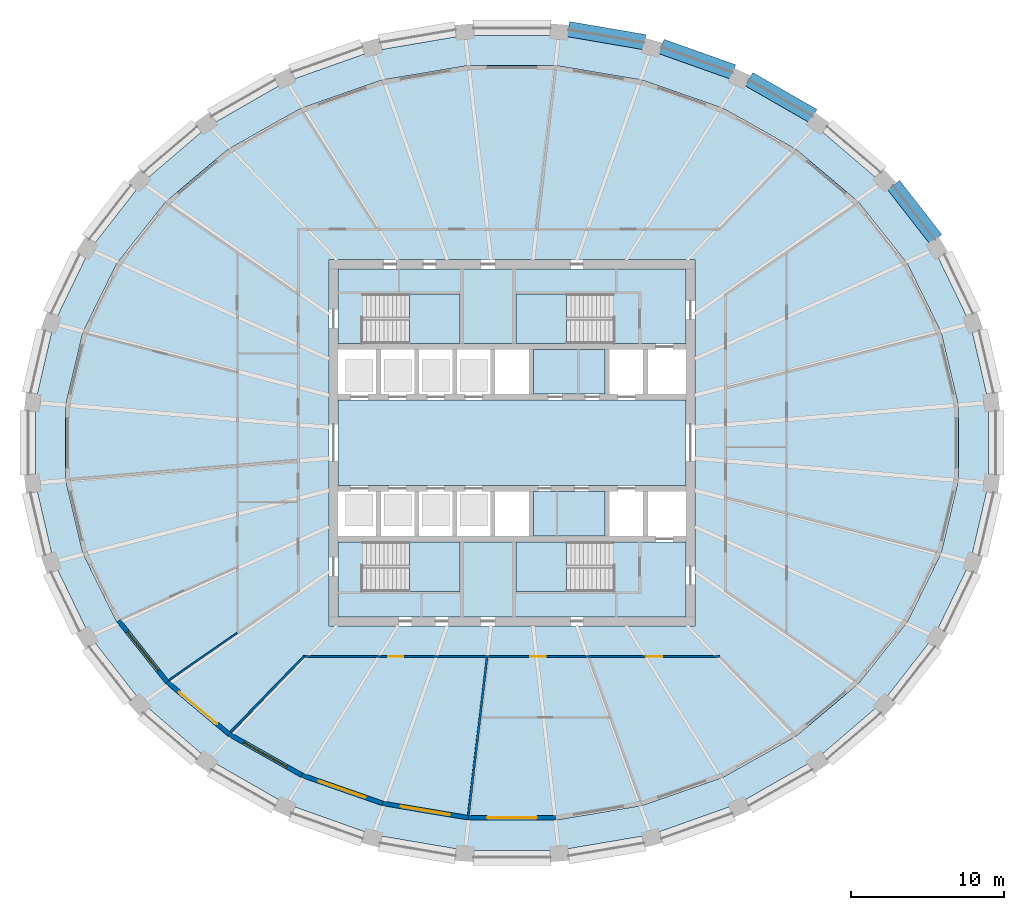
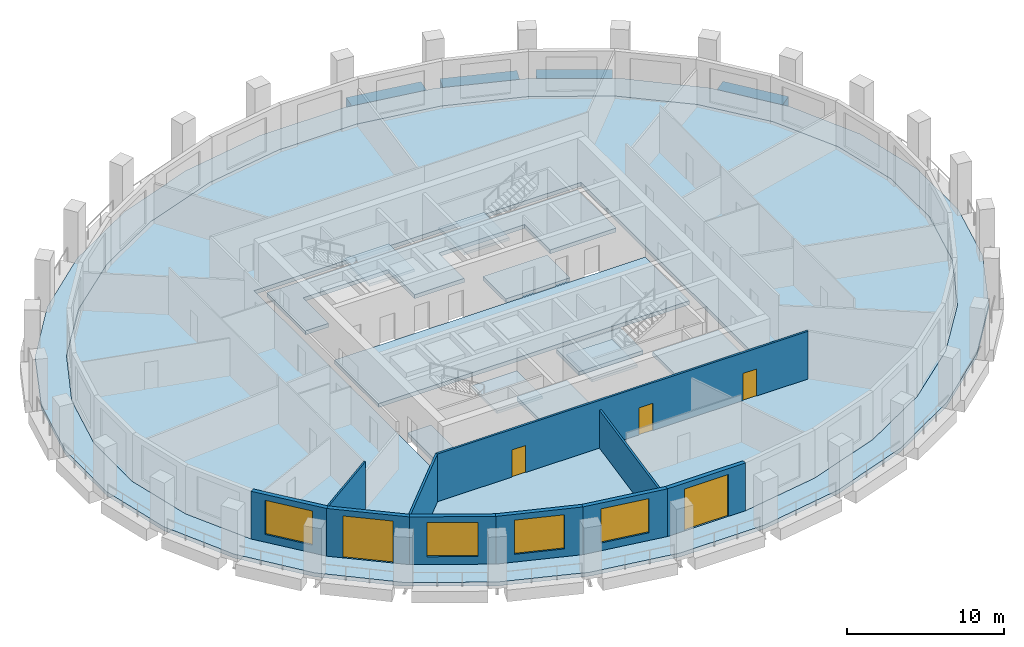
# One storey, part 2 of 11: 11 slabs, 10 walls, 5 doors, 4 beams, 4 windows, 9 openings, 4 elements without a shape of their own.
"""IFC4 building model written with IfcOpenShell, lengths in metres."""

from ifc_helpers import new_model, si_unit, direction, frame, frame_2d, origin, origin_2d, place, context, subcontext, project, spatial, polyline, rectangle, outline, extrude, material, layer, layer_set, material_profile, profile_set, type_object, element, fill, aggregate, save


model = new_model("IFC4")

# Units and contexts
model_context = context("Model", 3, precision=1e-05, world=origin(), true_north=direction((0.0, 1.0)))
body_context = subcontext(model_context, "Body", "Model", "MODEL_VIEW")
ifc_project = project(units=[si_unit("LENGTHUNIT", "METRE"), si_unit("AREAUNIT", "SQUARE_METRE"), si_unit("VOLUMEUNIT", "CUBIC_METRE"), si_unit("PLANEANGLEUNIT", "RADIAN"), si_unit("MASSUNIT", "GRAM", prefix="KILO")], contexts=[model_context])

# Site, building, storey
site_placement = place(None, origin())
site = spatial("IfcSite", under=ifc_project, at=site_placement, CompositionType="ELEMENT")
building_placement = place(site_placement, origin())
building = spatial("IfcBuilding", under=site, at=building_placement, Name="Halqa Exchange Tower", CompositionType="ELEMENT")
storey_placement = place(building_placement, frame((0.0, 0.0, 222.89990234375)))
storey = spatial("IfcBuildingStorey", under=building, at=storey_placement, Name="L51", CompositionType="ELEMENT", Elevation=222.89990234375)

# Beams
ifc_material_1 = material(Name="Concrete C60/75", Category="concrete")
ifc_material_profile = material_profile(ifc_material_1, rectangle(XDim=1.0, YDim=0.89990234375, at=origin_2d()), Name="1000 x 900")
ifc_profile_set = profile_set([ifc_material_profile], Name="Concrete C60/75")
beam_type = type_object("IfcBeamType", Name="RC spandrel beam 1000 x 900 C60/75", PredefinedType="SPANDREL", material=ifc_profile_set)
beam_1_placement = place(storey_placement, frame((27.775390625, 13.34033203125, -0.449951171875), z_axis=(-0.614807814893, 0.788676962226, 0.0), x_axis=(-0.788676962226, -0.614807814893, 0.0)))
element("IfcBeam", 1, at=beam_1_placement, inside=storey, type_object=beam_type, Name="Spandrel 3", PredefinedType="SPANDREL", context=body_context, shape_type="SweptSolid", body=[
    extrude(rectangle(XDim=1.0, YDim=0.89990234375, at=origin_2d()), origin(), (0.0, 0.0, 1.0), 4.500244140625),
])
beam_2_placement = place(storey_placement, frame((19.734619140625, 21.418701171875, -0.449951171875), z_axis=(-0.867767943929, 0.49696961224, 0.0), x_axis=(-0.49696961224, -0.867767943929, 0.0)))
element("IfcBeam", 2, at=beam_2_placement, inside=storey, type_object=beam_type, Name="Spandrel 5", PredefinedType="SPANDREL", context=body_context, shape_type="SweptSolid", body=[
    extrude(rectangle(XDim=1.0, YDim=0.89990234375, at=origin_2d()), origin(), (0.0, 0.0, 1.0), 4.84130859375),
])
beam_3_placement = place(storey_placement, frame((14.49462890625, 24.302001953125, -0.449951171875), z_axis=(-0.942368939802, 0.334575524054, 0.0), x_axis=(-0.334575524054, -0.942368939802, 0.0)))
element("IfcBeam", 3, at=beam_3_placement, inside=storey, type_object=beam_type, Name="Spandrel 6", PredefinedType="SPANDREL", context=body_context, shape_type="SweptSolid", body=[
    extrude(rectangle(XDim=1.0, YDim=0.89990234375, at=origin_2d()), origin(), (0.0, 0.0, 1.0), 4.981689453125),
])
beam_4_placement = place(storey_placement, frame((8.692626953125, 26.257568359375, -0.449951171875), z_axis=(-0.985769121581, 0.168104845076, 0.0), x_axis=(-0.168104845076, -0.985769121581, 0.0)))
element("IfcBeam", 4, at=beam_4_placement, inside=storey, type_object=beam_type, Name="Spandrel 7", PredefinedType="SPANDREL", context=body_context, shape_type="SweptSolid", body=[
    extrude(rectangle(XDim=1.0, YDim=0.89990234375, at=origin_2d()), origin(), (0.0, 0.0, 1.0), 5.072998046875),
])

# Slabs
ifc_layer_1 = layer(ifc_material_1, 0.300048828125)
ifc_layer_set_1 = layer_set([ifc_layer_1], Name="Concrete C60/75")
slab_type_1 = type_object("IfcSlabType", Name="Core floor slab 300", PredefinedType="FLOOR", material=ifc_layer_set_1)
slab_1_placement = place(storey_placement, frame((0.0, 0.0, -0.2998046875)))
element("IfcSlab", 5, at=slab_1_placement, inside=storey, type_object=slab_type_1, Name="Core floor slab", PredefinedType="FLOOR", context=body_context, shape_type="SweptSolid", body=[
    extrude(outline(polyline([(-11.39990234375, 2.800048828125), (11.39990234375, 2.800048828125), (11.39990234375, -2.800048828125), (-11.39990234375, -2.800048828125), (-11.39990234375, 2.800048828125)])), origin(), (0.0, 0.0, 1.0), 0.2998046875),
])
slab_2_placement = place(storey_placement, frame((0.0, 0.0, -0.2998046875)))
element("IfcSlab", 6, at=slab_2_placement, inside=storey, type_object=slab_type_1, Name="Core floor slab", PredefinedType="FLOOR", context=body_context, shape_type="SweptSolid", body=[
    extrude(outline(polyline([(-11.39990234375, 11.39990234375), (11.39990234375, 11.39990234375), (11.39990234375, 6.5), (6.550048828125, 6.5), (6.550048828125, 9.75), (0.25, 9.75), (0.25, 6.5), (-3.39990234375, 6.5), (-3.39990234375, 9.75), (-9.699951171875, 9.75), (-9.699951171875, 6.5), (-11.39990234375, 6.5), (-11.39990234375, 11.39990234375)])), origin(), (0.0, 0.0, 1.0), 0.2998046875),
])
slab_3_placement = place(storey_placement, frame((0.0, 0.0, -0.2998046875)))
element("IfcSlab", 7, at=slab_3_placement, inside=storey, type_object=slab_type_1, Name="Core floor slab", PredefinedType="FLOOR", context=body_context, shape_type="SweptSolid", body=[
    extrude(outline(polyline([(-9.699951171875, -9.75), (-3.39990234375, -9.75), (-3.39990234375, -6.5), (0.25, -6.5), (0.25, -9.75), (6.550048828125, -9.75), (6.550048828125, -6.5), (11.39990234375, -6.5), (11.39990234375, -11.39990234375), (-11.39990234375, -11.39990234375), (-11.39990234375, -6.5), (-9.699951171875, -6.5), (-9.699951171875, -9.75)])), origin(), (0.0, 0.0, 1.0), 0.2998046875),
])
slab_4_placement = place(storey_placement, frame((0.0, 0.0, -0.2998046875)))
element("IfcSlab", 8, at=slab_4_placement, inside=storey, type_object=slab_type_1, Name="Core floor slab", PredefinedType="FLOOR", context=body_context, shape_type="SweptSolid", body=[
    extrude(outline(polyline([(6.10009765625, -3.199951171875), (6.10009765625, -6.10009765625), (1.39990234375, -6.10009765625), (1.39990234375, -3.199951171875), (6.10009765625, -3.199951171875)])), origin(), (0.0, 0.0, 1.0), 0.2998046875),
])
slab_5_placement = place(storey_placement, frame((0.0, 0.0, -0.2998046875)))
element("IfcSlab", 9, at=slab_5_placement, inside=storey, type_object=slab_type_1, Name="Core floor slab", PredefinedType="FLOOR", context=body_context, shape_type="SweptSolid", body=[
    extrude(outline(polyline([(6.10009765625, 6.10009765625), (6.10009765625, 3.199951171875), (1.39990234375, 3.199951171875), (1.39990234375, 6.10009765625), (6.10009765625, 6.10009765625)])), origin(), (0.0, 0.0, 1.0), 0.2998046875),
])
ifc_material_2 = material(Name="Concrete C40/50", Category="concrete")
ifc_layer_2 = layer(ifc_material_2, 0.300048828125)
ifc_layer_set_2 = layer_set([ifc_layer_2], Name="Concrete C40/50")
slab_type_2 = type_object("IfcSlabType", Name="RC floor slab 300", PredefinedType="FLOOR", material=ifc_layer_set_2)
slab_6_placement = place(storey_placement, frame((0.0, 0.0, -0.2998046875)))
element("IfcSlab", 10, at=slab_6_placement, inside=storey, type_object=slab_type_2, Name="Floor slab", PredefinedType="FLOOR", context=body_context, shape_type="SweptSolid", body=[
    extrude(outline(polyline([(29.254638671875, 2.440185546875), (28.126220703125, 7.224853515625), (25.914306640625, 11.728515625), (22.706787109375, 15.77685546875), (18.62939453125, 19.2158203125), (13.839111328125, 21.915283203125), (8.5205078125, 23.773193359375), (2.876708984375, 24.72021484375), (-2.876708984375, 24.72021484375), (-8.5205078125, 23.773193359375), (-13.839111328125, 21.915283203125), (-18.62939453125, 19.2158203125), (-22.706787109375, 15.77685546875), (-25.914306640625, 11.728515625), (-28.126220703125, 7.224853515625), (-29.254638671875, 2.440185546875), (-29.254638671875, -2.440185546875), (-28.126220703125, -7.224853515625), (-25.914306640625, -11.728515625), (-22.706787109375, -15.77685546875), (-18.62939453125, -19.2158203125), (-13.839111328125, -21.915283203125), (-8.5205078125, -23.773193359375), (-2.876708984375, -24.72021484375), (2.876708984375, -24.72021484375), (8.5205078125, -23.773193359375), (13.839111328125, -21.915283203125), (18.62939453125, -19.2158203125), (22.706787109375, -15.77685546875), (25.914306640625, -11.728515625), (28.126220703125, -7.224853515625), (29.254638671875, -2.440185546875), (29.254638671875, 2.440185546875)]), holes=[polyline([(-12.0, -12.0), (12.0, -12.0), (12.0, 12.0), (-12.0, 12.0), (-12.0, -12.0)])]), origin(), (0.0, 0.0, 1.0), 0.2998046875),
])
ifc_layer_3 = layer(ifc_material_2, 0.300048828125)
ifc_layer_set_3 = layer_set([ifc_layer_3], Name="Concrete C40/50")
slab_type_3 = type_object("IfcSlabType", Name="RC loggia slab 300", PredefinedType="FLOOR", material=ifc_layer_set_3)
slab_7_placement = place(storey_placement, frame((0.0, 0.0, -0.2998046875)))
element("IfcSlab", 11, at=slab_7_placement, inside=storey, type_object=slab_type_3, Name="Loggia slab", PredefinedType="FLOOR", context=body_context, shape_type="SweptSolid", body=[
    extrude(outline(polyline([(31.2412109375, 2.622314453125), (31.2412109375, -2.622314453125), (30.046875, -7.7685546875), (27.70166015625, -12.62158203125), (24.29150390625, -16.99609375), (19.9443359375, -20.722412109375), (14.825439453125, -23.654052734375), (9.1318359375, -25.675537109375), (3.083984375, -26.706787109375), (-3.083984375, -26.706787109375), (-9.1318359375, -25.675537109375), (-14.825439453125, -23.654052734375), (-19.9443359375, -20.722412109375), (-24.29150390625, -16.99609375), (-27.70166015625, -12.62158203125), (-30.046875, -7.7685546875), (-31.2412109375, -2.622314453125), (-31.2412109375, 2.622314453125), (-30.046875, 7.7685546875), (-27.70166015625, 12.62158203125), (-24.29150390625, 16.99609375), (-19.9443359375, 20.722412109375), (-14.825439453125, 23.654052734375), (-9.1318359375, 25.675537109375), (-3.083984375, 26.706787109375), (3.083984375, 26.706787109375), (9.1318359375, 25.675537109375), (14.825439453125, 23.654052734375), (19.9443359375, 20.722412109375), (24.29150390625, 16.99609375), (27.70166015625, 12.62158203125), (30.046875, 7.7685546875), (31.2412109375, 2.622314453125)]), holes=[polyline([(29.254638671875, 2.440185546875), (28.126220703125, 7.224853515625), (25.914306640625, 11.728515625), (22.706787109375, 15.77685546875), (18.62939453125, 19.2158203125), (13.839111328125, 21.915283203125), (8.5205078125, 23.773193359375), (2.876708984375, 24.72021484375), (-2.876708984375, 24.72021484375), (-8.5205078125, 23.773193359375), (-13.839111328125, 21.915283203125), (-18.62939453125, 19.2158203125), (-22.706787109375, 15.77685546875), (-25.914306640625, 11.728515625), (-28.126220703125, 7.224853515625), (-29.254638671875, 2.440185546875), (-29.254638671875, -2.440185546875), (-28.126220703125, -7.224853515625), (-25.914306640625, -11.728515625), (-22.706787109375, -15.77685546875), (-18.62939453125, -19.2158203125), (-13.839111328125, -21.915283203125), (-8.5205078125, -23.773193359375), (-2.876708984375, -24.72021484375), (2.876708984375, -24.72021484375), (8.5205078125, -23.773193359375), (13.839111328125, -21.915283203125), (18.62939453125, -19.2158203125), (22.706787109375, -15.77685546875), (25.914306640625, -11.728515625), (28.126220703125, -7.224853515625), (29.254638671875, -2.440185546875), (29.254638671875, 2.440185546875)])]), origin(), (0.0, 0.0, 1.0), 0.2998046875),
])

# Stair, slab
ifc_material_3 = material(Name="Concrete C30/37", Category="concrete")
stair_type = type_object("IfcStairType", Name="Exit stair 1500 wide", PredefinedType="HALF_TURN_STAIR", material=ifc_material_3)
stair_1_placement = place(storey_placement, origin())
stair_1 = element("IfcStair", 12, at=stair_1_placement, inside=storey, type_object=stair_type, Name="Exit stair ST1", PredefinedType="HALF_TURN_STAIR")
ifc_layer_4 = layer(ifc_material_3, 0.199951171875)
ifc_layer_set_4 = layer_set([ifc_layer_4], Name="Concrete C30/37")
slab_type_4 = type_object("IfcSlabType", Name="Stair landing 200 slab", PredefinedType="LANDING", material=ifc_layer_set_4)
slab_8_placement = place(storey_placement, frame((0.0, 0.0, 1.800048828125)))
slab_8 = element("IfcSlab", 13, at=slab_8_placement, type_object=slab_type_4, Name="ST1 landing 1", PredefinedType="LANDING", context=body_context, shape_type="SweptSolid", body=[
    extrude(outline(polyline([(-6.719970703125, 6.5), (-3.39990234375, 6.5), (-3.39990234375, 9.75), (-6.719970703125, 9.75), (-6.719970703125, 6.5)])), origin(), (0.0, 0.0, 1.0), 0.199951171875),
])
aggregate(stair_1, [slab_8])

stair_2_placement = place(storey_placement, origin())
stair_2 = element("IfcStair", 14, at=stair_2_placement, inside=storey, type_object=stair_type, Name="Exit stair ST2", PredefinedType="HALF_TURN_STAIR")
slab_9_placement = place(storey_placement, frame((0.0, 0.0, 1.800048828125)))
slab_9 = element("IfcSlab", 15, at=slab_9_placement, type_object=slab_type_4, Name="ST2 landing 1", PredefinedType="LANDING", context=body_context, shape_type="SweptSolid", body=[
    extrude(outline(polyline([(0.25, 6.5), (3.570068359375, 6.5), (3.570068359375, 9.75), (0.25, 9.75), (0.25, 6.5)])), origin(), (0.0, 0.0, 1.0), 0.199951171875),
])
aggregate(stair_2, [slab_9])

stair_3_placement = place(storey_placement, origin())
stair_3 = element("IfcStair", 16, at=stair_3_placement, inside=storey, type_object=stair_type, Name="Exit stair ST3", PredefinedType="HALF_TURN_STAIR")
slab_10_placement = place(storey_placement, frame((0.0, 0.0, 1.800048828125)))
slab_10 = element("IfcSlab", 17, at=slab_10_placement, type_object=slab_type_4, Name="ST3 landing 1", PredefinedType="LANDING", context=body_context, shape_type="SweptSolid", body=[
    extrude(outline(polyline([(-6.719970703125, -9.75), (-3.39990234375, -9.75), (-3.39990234375, -6.5), (-6.719970703125, -6.5), (-6.719970703125, -9.75)])), origin(), (0.0, 0.0, 1.0), 0.199951171875),
])
aggregate(stair_3, [slab_10])

stair_4_placement = place(storey_placement, origin())
stair_4 = element("IfcStair", 18, at=stair_4_placement, inside=storey, type_object=stair_type, Name="Exit stair ST4", PredefinedType="HALF_TURN_STAIR")
slab_11_placement = place(storey_placement, frame((0.0, 0.0, 1.800048828125)))
slab_11 = element("IfcSlab", 19, at=slab_11_placement, type_object=slab_type_4, Name="ST4 landing 1", PredefinedType="LANDING", context=body_context, shape_type="SweptSolid", body=[
    extrude(outline(polyline([(0.25, -9.75), (3.570068359375, -9.75), (3.570068359375, -6.5), (0.25, -6.5), (0.25, -9.75)])), origin(), (0.0, 0.0, 1.0), 0.199951171875),
])
aggregate(stair_4, [slab_11])

# Wall, openings, doors
ifc_material_4 = material(Name="Fire-rated gypsum board")
ifc_layer_5 = layer(ifc_material_4, 0.14990234375)
ifc_layer_set_5 = layer_set([ifc_layer_5], Name="Fire-rated gypsum board")
wall_type_1 = type_object("IfcWallType", Name="Fire partition EI 60 150", PredefinedType="PARTITIONING", material=ifc_layer_set_5)
wall_1_placement = place(storey_placement, frame((-13.651611328125, -14.0, 0.0), z_axis=(0.0, 0.0, 1.0), x_axis=(1.0, 0.0, 0.0)))
wall_1 = element("IfcWall", 20, at=wall_1_placement, inside=storey, type_object=wall_type_1, Name="L51-PWL-010", PredefinedType="PARTITIONING", context=body_context, shape_type="SweptSolid", body=[
    extrude(outline(polyline([(0.063232421875, -0.074951171875), (2.00439453125, -0.074951171875), (3.945556640625, -0.074951171875), (5.88671875, -0.074951171875), (7.828125, -0.074951171875), (9.769287109375, -0.074951171875), (11.71044921875, -0.074951171875), (13.651611328125, -0.074951171875), (15.5927734375, -0.074951171875), (17.533935546875, -0.074951171875), (19.47509765625, -0.074951171875), (21.41650390625, -0.074951171875), (23.357666015625, -0.074951171875), (25.298828125, -0.074951171875), (27.239990234375, -0.074951171875), (27.30322265625, 0.074951171875), (27.30322265625, 0.074951171875), (25.35302734375, 0.074951171875), (23.40283203125, 0.074951171875), (21.45263671875, 0.074951171875), (19.502197265625, 0.074951171875), (17.552001953125, 0.074951171875), (15.601806640625, 0.074951171875), (13.651611328125, 0.074951171875), (11.701416015625, 0.074951171875), (9.751220703125, 0.074951171875), (7.801025390625, 0.074951171875), (5.8505859375, 0.074951171875), (3.900390625, 0.074951171875), (1.9501953125, 0.074951171875), (0.0, 0.074951171875), (0.0, 0.074951171875), (0.063232421875, -0.074951171875)])), origin(), (0.0, 0.0, 1.0), 3.7001953125),
])
opening_1_placement = place(wall_1_placement, frame((5.526611328125, 0.0, 0.0)))
opening_1 = element("IfcOpeningElement", 21, at=opening_1_placement, cuts=wall_1, Name="Opening 15-08", PredefinedType="OPENING", context=body_context, shape_type="SweptSolid", body=[
    extrude(rectangle(XDim=1.0, YDim=2.10009765625, at=frame_2d((0.5, 1.050048828125))), frame((0.0, 0.0869140625, 0.0), z_axis=(0.0, -1.0, 0.0), x_axis=(1.0, 0.0, 0.0)), (0.0, 0.0, 1.0), 0.173828125),
])
opening_2_placement = place(wall_1_placement, frame((14.856689453125, 0.0, 0.0)))
opening_2 = element("IfcOpeningElement", 22, at=opening_2_placement, cuts=wall_1, Name="Opening 15-09", PredefinedType="OPENING", context=body_context, shape_type="SweptSolid", body=[
    extrude(rectangle(XDim=1.0, YDim=2.10009765625, at=frame_2d((0.5, 1.050048828125))), frame((0.0, 0.0869140625, 0.0), z_axis=(0.0, -1.0, 0.0), x_axis=(1.0, 0.0, 0.0)), (0.0, 0.0, 1.0), 0.173828125),
])
opening_3_placement = place(wall_1_placement, frame((22.481689453125, 0.0, 0.0)))
opening_3 = element("IfcOpeningElement", 23, at=opening_3_placement, cuts=wall_1, Name="Opening 15-10", PredefinedType="OPENING", context=body_context, shape_type="SweptSolid", body=[
    extrude(rectangle(XDim=1.0, YDim=2.10009765625, at=frame_2d((0.5, 1.050048828125))), frame((0.0, 0.0869140625, 0.0), z_axis=(0.0, -1.0, 0.0), x_axis=(1.0, 0.0, 0.0)), (0.0, 0.0, 1.0), 0.173828125),
])
ifc_material_5 = material(Name="Steel fire door leaf", Category="steel")
door_type_1 = type_object("IfcDoorType", Name="Fire door FD30S 1000 x 2100", OperationType="SINGLE_SWING_LEFT", PredefinedType="DOOR", material=ifc_material_5)
door_1_placement = place(opening_1_placement, frame((1.0, 0.0, 0.0), z_axis=(0.0, 0.0, 1.0), x_axis=(-1.0, 0.0, 0.0)))
door_1 = element("IfcDoor", 24, at=door_1_placement, inside=storey, type_object=door_type_1, Name="L51-IDR-008", OperationType="SINGLE_SWING_LEFT", OverallHeight=2.10009765625, OverallWidth=1.0, PredefinedType="DOOR", context=body_context, shape_type="SweptSolid", body=[
    extrude(rectangle(XDim=1.0, YDim=2.10009765625, at=frame_2d((0.5, 1.050048828125))), frame((0.0, 0.02490234375, 0.0), z_axis=(0.0, -1.0, 0.0), x_axis=(1.0, 0.0, 0.0)), (0.0, 0.0, 1.0), 0.050048828125),
])
fill(opening_1, door_1)
door_2_placement = place(opening_2_placement, frame((1.0, 0.0, 0.0), z_axis=(0.0, 0.0, 1.0), x_axis=(-1.0, 0.0, 0.0)))
door_2 = element("IfcDoor", 25, at=door_2_placement, inside=storey, type_object=door_type_1, Name="L51-IDR-009", OperationType="SINGLE_SWING_LEFT", OverallHeight=2.10009765625, OverallWidth=1.0, PredefinedType="DOOR", context=body_context, shape_type="SweptSolid", body=[
    extrude(rectangle(XDim=1.0, YDim=2.10009765625, at=frame_2d((0.5, 1.050048828125))), frame((0.0, 0.02490234375, 0.0), z_axis=(0.0, -1.0, 0.0), x_axis=(1.0, 0.0, 0.0)), (0.0, 0.0, 1.0), 0.050048828125),
])
fill(opening_2, door_2)
door_3_placement = place(opening_3_placement, frame((1.0, 0.0, 0.0), z_axis=(0.0, 0.0, 1.0), x_axis=(-1.0, 0.0, 0.0)))
door_3 = element("IfcDoor", 26, at=door_3_placement, inside=storey, type_object=door_type_1, Name="L51-IDR-010", OperationType="SINGLE_SWING_RIGHT", OverallHeight=2.10009765625, OverallWidth=1.0, PredefinedType="DOOR", context=body_context, shape_type="SweptSolid", body=[
    extrude(rectangle(XDim=1.0, YDim=2.10009765625, at=frame_2d((0.5, 1.050048828125))), frame((0.0, 0.02490234375, 0.0), z_axis=(0.0, -1.0, 0.0), x_axis=(1.0, 0.0, 0.0)), (0.0, 0.0, 1.0), 0.050048828125),
])
fill(opening_3, door_3)

# Walls
wall_2_placement = place(storey_placement, frame((-13.597900390625, -13.977294921875, 0.0), z_axis=(0.0, 0.0, 1.0), x_axis=(-0.697374409368, -0.716707006494, 0.0)))
element("IfcWall", 27, at=wall_2_placement, inside=storey, type_object=wall_type_1, Name="L51-PWL-017", PredefinedType="PARTITIONING", context=body_context, shape_type="SweptSolid", body=[
    extrude(outline(polyline([(6.970947265625, -0.074951171875), (6.970947265625, -0.070068359375), (6.966064453125, -0.002197265625), (6.94580078125, 0.074951171875), (5.22509765625, 0.074951171875), (3.504638671875, 0.074951171875), (1.783935546875, 0.074951171875), (0.063232421875, 0.074951171875), (0.03173828125, 0.0), (0.0, -0.074951171875), (1.74267578125, -0.074951171875), (3.485595703125, -0.074951171875), (5.228271484375, -0.074951171875), (6.970947265625, -0.074951171875)])), origin(), (0.0, 0.0, 1.0), 3.7001953125),
])
wall_3_placement = place(storey_placement, frame((-2.854248046875, -24.41552734375, 0.0), z_axis=(0.0, 0.0, 1.0), x_axis=(0.116750167138, 0.993161315433, 0.0)))
element("IfcWall", 28, at=wall_3_placement, inside=storey, type_object=wall_type_1, Name="L51-PWL-019", PredefinedType="PARTITIONING", context=body_context, shape_type="SweptSolid", body=[
    extrude(outline(polyline([(0.004150390625, -0.074951171875), (1.630126953125, -0.074951171875), (3.256103515625, -0.074951171875), (4.882080078125, -0.074951171875), (6.508056640625, -0.074951171875), (6.518798828125, -0.07373046875), (6.518798828125, -0.074951171875), (8.469482421875, -0.074951171875), (10.420166015625, -0.074951171875), (10.420166015625, -0.07177734375), (10.40283203125, 0.074951171875), (8.669189453125, 0.074951171875), (6.935302734375, 0.074951171875), (5.201416015625, 0.074951171875), (3.467529296875, 0.074951171875), (1.73388671875, 0.074951171875), (0.0, 0.074951171875), (0.0, -0.0390625), (0.004150390625, -0.074951171875)])), origin(), (0.0, 0.0, 1.0), 2.947021484375),
])
ifc_material_6 = material(Name="Fire-rated glazing", Category="glass")
ifc_layer_6 = layer(ifc_material_6, 0.1201171875)
ifc_layer_set_6 = layer_set([ifc_layer_6], Name="Fire-rated glazing")
wall_type_2 = type_object("IfcWallType", Name="Glazed fire partition EI 60 120", PredefinedType="PARTITIONING", material=ifc_layer_set_6)
wall_4_placement = place(storey_placement, frame((-22.4931640625, -15.569091796875, 0.0), z_axis=(0.0, 0.0, 1.0), x_axis=(0.822322462014, 0.569021764494, 0.0)))
element("IfcWall", 29, at=wall_4_placement, inside=storey, type_object=wall_type_2, Name="L51-PWL-001", PredefinedType="PARTITIONING", context=body_context, shape_type="SweptSolid", body=[
    extrude(outline(polyline([(0.019775390625, -0.06005859375), (1.83447265625, -0.06005859375), (3.649169921875, -0.06005859375), (5.4638671875, -0.06005859375), (5.4638671875, 0.06005859375), (3.642578125, 0.06005859375), (1.8212890625, 0.06005859375), (0.0, 0.06005859375), (0.0, 0.053466796875), (0.00341796875, 0.000244140625), (0.019775390625, -0.06005859375)])), origin(), (0.0, 0.0, 1.0), 3.7001953125),
])

# Wall, opening, window
ifc_material_7 = material(Name="Limestone cladding", Category="masonry")
ifc_layer_7 = layer(ifc_material_7, 0.0400390625)
ifc_material_8 = material(Name="Ventilated cavity")
ifc_layer_8 = layer(ifc_material_8, 0.030029296875, ventilated=True)
ifc_material_9 = material(Name="Mineral wool insulation")
ifc_layer_9 = layer(ifc_material_9, 0.10009765625)
ifc_layer_10 = layer(ifc_material_3, 0.10009765625)
ifc_material_10 = material(Name="Internal plaster")
ifc_layer_11 = layer(ifc_material_10, 0.030029296875)
ifc_layer_set_7 = layer_set([ifc_layer_7, ifc_layer_8, ifc_layer_9, ifc_layer_10, ifc_layer_11], Name="Stone-faced insulated wall 300")
wall_type_3 = type_object("IfcWallType", Name="Stone-faced insulated wall 300", PredefinedType="STANDARD", material=ifc_layer_set_7)
wall_5_placement = place(storey_placement, frame((-25.786865234375, -11.64794921875, 0.0), z_axis=(0.0, 0.0, 1.0), x_axis=(0.621017151557, -0.783796974651, 0.0)))
wall_5 = element("IfcWall", 30, at=wall_5_placement, inside=storey, type_object=wall_type_3, Name="Glass-line wall 19", PredefinedType="STANDARD", context=body_context, shape_type="SweptSolid", body=[
    extrude(outline(polyline([(-0.01611328125, -0.14990234375), (5.14892578125, -0.14990234375), (5.11865234375, 0.14990234375), (0.01611328125, 0.14990234375), (-0.01611328125, -0.14990234375)])), origin(), (0.0, 0.0, 1.0), 3.7001953125),
])
opening_4_placement = place(wall_5_placement, frame((0.94189453125, 0.0, 0.60009765625)))
opening_4 = element("IfcOpeningElement", 31, at=opening_4_placement, cuts=wall_5, Name="Opening W-F3-19", PredefinedType="OPENING", context=body_context, shape_type="SweptSolid", body=[
    extrude(rectangle(XDim=3.25, YDim=2.64990234375, at=frame_2d((1.625, 1.324951171875))), frame((0.0, 0.162109375, 0.0), z_axis=(0.0, -1.0, 0.0), x_axis=(1.0, 0.0, 0.0)), (0.0, 0.0, 1.0), 0.323974609375),
])
ifc_material_11 = material(Name="Clear low-emissivity glass in aluminium frame", Category="aluminium")
window_type = type_object("IfcWindowType", Name="Fixed clear glazed window 3250 x 2650", PartitioningType="TRIPLE_PANEL_VERTICAL", PredefinedType="WINDOW", material=ifc_material_11)
window_1_placement = place(opening_4_placement, origin())
window_1 = element("IfcWindow", 32, at=window_1_placement, inside=storey, type_object=window_type, Name="Window 3", OverallHeight=2.64990234375, OverallWidth=3.25, PartitioningType="TRIPLE_PANEL_VERTICAL", PredefinedType="WINDOW", context=body_context, shape_type="SweptSolid", body=[
    extrude(rectangle(XDim=3.25, YDim=2.64990234375, at=frame_2d((1.625, 1.324951171875))), frame((0.0, 0.030029296875, 0.0), z_axis=(0.0, -1.0, 0.0), x_axis=(1.0, 0.0, 0.0)), (0.0, 0.0, 1.0), 0.06005859375),
])
fill(opening_4, window_1)

# Wall, opening, door
wall_6_placement = place(storey_placement, frame((-22.5986328125, -15.671875, 0.0), z_axis=(0.0, 0.0, 1.0), x_axis=(0.764397795062, -0.644744919255, 0.0)))
wall_6 = element("IfcWall", 33, at=wall_6_placement, inside=storey, type_object=wall_type_3, Name="Glass-line wall 20", PredefinedType="STANDARD", context=body_context, shape_type="SweptSolid", body=[
    extrude(outline(polyline([(-0.01513671875, -0.14990234375), (5.3193359375, -0.14990234375), (5.291015625, 0.14990234375), (0.01513671875, 0.14990234375), (-0.01513671875, -0.14990234375)])), origin(), (0.0, 0.0, 1.0), 3.7001953125),
])
opening_5_placement = place(wall_6_placement, frame((1.027587890625, 0.0, 0.0)))
opening_5 = element("IfcOpeningElement", 34, at=opening_5_placement, cuts=wall_6, Name="Opening LG-F3-05", PredefinedType="OPENING", context=body_context, shape_type="SweptSolid", body=[
    extrude(rectangle(XDim=3.25, YDim=3.25, at=frame_2d((1.625, 1.625))), frame((0.0, 0.162109375, 0.0), z_axis=(0.0, -1.0, 0.0), x_axis=(1.0, 0.0, 0.0)), (0.0, 0.0, 1.0), 0.323974609375),
])
door_type_2 = type_object("IfcDoorType", Name="Glazed sliding loggia door 3250 x 3250", OperationType="DOUBLE_DOOR_SLIDING", PredefinedType="DOOR", material=ifc_material_11)
door_4_placement = place(opening_5_placement, origin())
door_4 = element("IfcDoor", 35, at=door_4_placement, inside=storey, type_object=door_type_2, Name="Loggia door 5", OperationType="DOUBLE_DOOR_SLIDING", OverallHeight=3.25, OverallWidth=3.25, PredefinedType="DOOR", context=body_context, shape_type="SweptSolid", body=[
    extrude(rectangle(XDim=3.25, YDim=3.25, at=frame_2d((1.625, 1.625))), frame((0.0, 0.02490234375, 0.0), z_axis=(0.0, -1.0, 0.0), x_axis=(1.0, 0.0, 0.0)), (0.0, 0.0, 1.0), 0.050048828125),
])
fill(opening_5, door_4)

# Wall, opening, window
wall_7_placement = place(storey_placement, frame((-18.54345703125, -19.09228515625, 0.0), z_axis=(0.0, 0.0, 1.0), x_axis=(0.871207038577, -0.490915772749, 0.0)))
wall_7 = element("IfcWall", 36, at=wall_7_placement, inside=storey, type_object=wall_type_3, Name="Glass-line wall 21", PredefinedType="STANDARD", context=body_context, shape_type="SweptSolid", body=[
    extrude(outline(polyline([(-0.01416015625, -0.14990234375), (5.484375, -0.14990234375), (5.45751953125, 0.14990234375), (0.01416015625, 0.14990234375), (-0.01416015625, -0.14990234375)])), origin(), (0.0, 0.0, 1.0), 3.7001953125),
])
opening_6_placement = place(wall_7_placement, frame((1.110595703125, 0.0, 0.60009765625)))
opening_6 = element("IfcOpeningElement", 37, at=opening_6_placement, cuts=wall_7, Name="Opening W-F3-21", PredefinedType="OPENING", context=body_context, shape_type="SweptSolid", body=[
    extrude(rectangle(XDim=3.25, YDim=2.64990234375, at=frame_2d((1.625, 1.324951171875))), frame((0.0, 0.162109375, 0.0), z_axis=(0.0, -1.0, 0.0), x_axis=(1.0, 0.0, 0.0)), (0.0, 0.0, 1.0), 0.323974609375),
])
window_2_placement = place(opening_6_placement, origin())
window_2 = element("IfcWindow", 38, at=window_2_placement, inside=storey, type_object=window_type, Name="Window 3", OverallHeight=2.64990234375, OverallWidth=3.25, PartitioningType="TRIPLE_PANEL_VERTICAL", PredefinedType="WINDOW", context=body_context, shape_type="SweptSolid", body=[
    extrude(rectangle(XDim=3.25, YDim=2.64990234375, at=frame_2d((1.625, 1.324951171875))), frame((0.0, 0.030029296875, 0.0), z_axis=(0.0, -1.0, 0.0), x_axis=(1.0, 0.0, 0.0)), (0.0, 0.0, 1.0), 0.06005859375),
])
fill(opening_6, window_2)

wall_8_placement = place(storey_placement, frame((-13.777099609375, -21.778076171875, 0.0), z_axis=(0.0, 0.0, 1.0), x_axis=(0.944053670735, -0.329791853708, 0.0)))
wall_8 = element("IfcWall", 39, at=wall_8_placement, inside=storey, type_object=wall_type_3, Name="Glass-line wall 22", PredefinedType="STANDARD", context=body_context, shape_type="SweptSolid", body=[
    extrude(outline(polyline([(-0.013427734375, -0.14990234375), (5.620361328125, -0.14990234375), (5.594970703125, 0.14990234375), (0.013427734375, 0.14990234375), (-0.013427734375, -0.14990234375)])), origin(), (0.0, 0.0, 1.0), 3.7001953125),
])
opening_7_placement = place(wall_8_placement, frame((1.178955078125, 0.0, 0.60009765625)))
opening_7 = element("IfcOpeningElement", 40, at=opening_7_placement, cuts=wall_8, Name="Opening W-F3-22", PredefinedType="OPENING", context=body_context, shape_type="SweptSolid", body=[
    extrude(rectangle(XDim=3.25, YDim=2.64990234375, at=frame_2d((1.625, 1.324951171875))), frame((0.0, 0.162109375, 0.0), z_axis=(0.0, -1.0, 0.0), x_axis=(1.0, 0.0, 0.0)), (0.0, 0.0, 1.0), 0.323974609375),
])
window_3_placement = place(opening_7_placement, origin())
window_3 = element("IfcWindow", 41, at=window_3_placement, inside=storey, type_object=window_type, Name="Window 3", OverallHeight=2.64990234375, OverallWidth=3.25, PartitioningType="TRIPLE_PANEL_VERTICAL", PredefinedType="WINDOW", context=body_context, shape_type="SweptSolid", body=[
    extrude(rectangle(XDim=3.25, YDim=2.64990234375, at=frame_2d((1.625, 1.324951171875))), frame((0.0, 0.030029296875, 0.0), z_axis=(0.0, -1.0, 0.0), x_axis=(1.0, 0.0, 0.0)), (0.0, 0.0, 1.0), 0.06005859375),
])
fill(opening_7, window_3)

wall_9_placement = place(storey_placement, frame((-8.483154296875, -23.62744140625, 0.0), z_axis=(0.0, 0.0, 1.0), x_axis=(0.986218486863, -0.16544816762, 0.0)))
wall_9 = element("IfcWall", 42, at=wall_9_placement, inside=storey, type_object=wall_type_3, Name="Glass-line wall 23", PredefinedType="STANDARD", context=body_context, shape_type="SweptSolid", body=[
    extrude(outline(polyline([(-0.0126953125, -0.14990234375), (5.7099609375, -0.14990234375), (5.68505859375, 0.14990234375), (0.0126953125, 0.14990234375), (-0.0126953125, -0.14990234375)])), origin(), (0.0, 0.0, 1.0), 3.7001953125),
])
opening_8_placement = place(wall_9_placement, frame((1.2236328125, 0.0, 0.60009765625)))
opening_8 = element("IfcOpeningElement", 43, at=opening_8_placement, cuts=wall_9, Name="Opening W-F3-23", PredefinedType="OPENING", context=body_context, shape_type="SweptSolid", body=[
    extrude(rectangle(XDim=3.25, YDim=2.64990234375, at=frame_2d((1.625, 1.324951171875))), frame((0.0, 0.162109375, 0.0), z_axis=(0.0, -1.0, 0.0), x_axis=(1.0, 0.0, 0.0)), (0.0, 0.0, 1.0), 0.323974609375),
])
window_4_placement = place(opening_8_placement, origin())
window_4 = element("IfcWindow", 44, at=window_4_placement, inside=storey, type_object=window_type, Name="Window 3", OverallHeight=2.64990234375, OverallWidth=3.25, PartitioningType="TRIPLE_PANEL_VERTICAL", PredefinedType="WINDOW", context=body_context, shape_type="SweptSolid", body=[
    extrude(rectangle(XDim=3.25, YDim=2.64990234375, at=frame_2d((1.625, 1.324951171875))), frame((0.0, 0.030029296875, 0.0), z_axis=(0.0, -1.0, 0.0), x_axis=(1.0, 0.0, 0.0)), (0.0, 0.0, 1.0), 0.06005859375),
])
fill(opening_8, window_4)

# Wall, opening, door
wall_10_placement = place(storey_placement, frame((-2.8642578125, -24.570068359375, 0.0), z_axis=(0.0, 0.0, 1.0), x_axis=(1.0, 0.0, 0.0)))
wall_10 = element("IfcWall", 45, at=wall_10_placement, inside=storey, type_object=wall_type_3, Name="Glass-line wall 24", PredefinedType="STANDARD", context=body_context, shape_type="SweptSolid", body=[
    extrude(outline(polyline([(-0.012451171875, -0.14990234375), (5.740966796875, -0.14990234375), (5.716064453125, 0.14990234375), (0.012451171875, 0.14990234375), (-0.012451171875, -0.14990234375)])), origin(), (0.0, 0.0, 1.0), 3.7001953125),
])
opening_9_placement = place(wall_10_placement, frame((1.2392578125, 0.0, 0.0)))
opening_9 = element("IfcOpeningElement", 46, at=opening_9_placement, cuts=wall_10, Name="Opening LG-F3-06", PredefinedType="OPENING", context=body_context, shape_type="SweptSolid", body=[
    extrude(rectangle(XDim=3.25, YDim=3.25, at=frame_2d((1.625, 1.625))), frame((0.0, 0.162109375, 0.0), z_axis=(0.0, -1.0, 0.0), x_axis=(1.0, 0.0, 0.0)), (0.0, 0.0, 1.0), 0.323974609375),
])
door_5_placement = place(opening_9_placement, origin())
door_5 = element("IfcDoor", 47, at=door_5_placement, inside=storey, type_object=door_type_2, Name="Loggia door 6", OperationType="DOUBLE_DOOR_SLIDING", OverallHeight=3.25, OverallWidth=3.25, PredefinedType="DOOR", context=body_context, shape_type="SweptSolid", body=[
    extrude(rectangle(XDim=3.25, YDim=3.25, at=frame_2d((1.625, 1.625))), frame((0.0, 0.02490234375, 0.0), z_axis=(0.0, -1.0, 0.0), x_axis=(1.0, 0.0, 0.0)), (0.0, 0.0, 1.0), 0.050048828125),
])
fill(opening_9, door_5)

save(model, "model.ifc")
